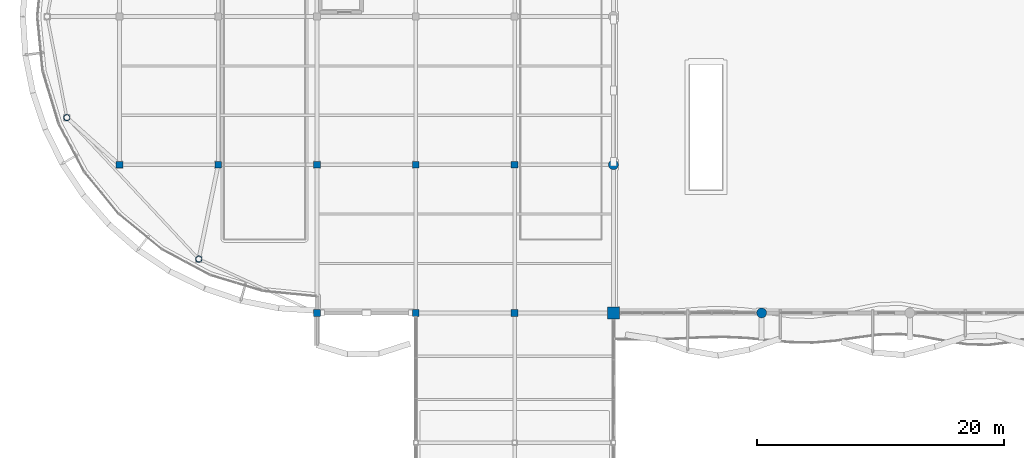
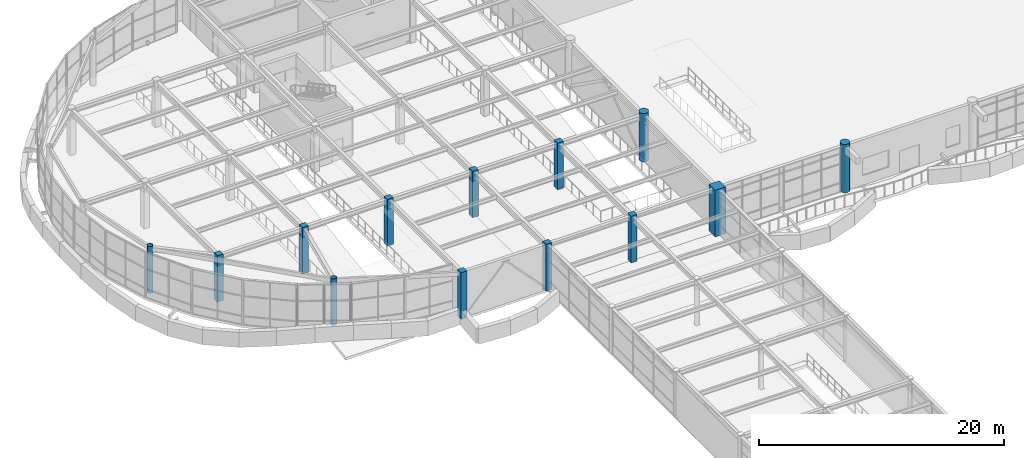
# One storey, part 2 of 72: 13 columns.
"""IFC4 building model written with IfcOpenShell, lengths in metres."""

import ifcopenshell
import ifcopenshell.guid

model = None  # the IFC model being written
_history = None  # IfcOwnerHistory: only IFC2X3 demands one
_inside = {}  # id of a spatial element -> (the spatial element, [elements in it])
_under = {}  # id of a project, library or spatial element -> (it, [spatial elements below it])
_declared = {}  # id of a project -> (the project, [libraries it declares])
_typed = {}  # id of a type object -> (the type object, [elements of that type])
_made_of = {}  # id of a material, layer set ... -> (it, [elements and type objects made of it])


def new_model(schema):
    """Start an empty IFC model of exactly this schema.

    Asked for "IFC4X3", IfcOpenShell would pick the latest addendum, in which some entities
    have other attributes; the version numbers below select the first issue.
    IFC2X3 requires an IfcOwnerHistory on every rooted entity: one is made here for all.
    """
    global model, _history
    if schema == "IFC4X3":
        model = ifcopenshell.file(schema_version=(4, 3, 0, 0))
    else:
        model = ifcopenshell.file(schema=schema)
    _inside.clear()
    _under.clear()
    _declared.clear()
    _typed.clear()
    _made_of.clear()
    _history = None
    if model.schema == "IFC2X3":
        org = make("IfcOrganization", Name="unknown")
        user = make(
            "IfcPersonAndOrganization",
            ThePerson=make("IfcPerson", FamilyName="unknown"),
            TheOrganization=org,
        )
        app = make(
            "IfcApplication",
            ApplicationDeveloper=org,
            Version="unknown",
            ApplicationFullName="unknown",
            ApplicationIdentifier="unknown",
        )
        _history = make(
            "IfcOwnerHistory",
            OwningUser=user,
            OwningApplication=app,
            ChangeAction="ADDED",
            CreationDate=0,
        )
    return model


def make(cls, **values):
    """One entity of the class cls with the attributes given. An attribute that is None is left unset."""
    return model.create_entity(
        cls, **{name: value for name, value in values.items() if value is not None}
    )


def rooted(cls, **values):
    """An entity with a GlobalId (a new one), such as an element, a storey or a relation."""
    return make(cls, GlobalId=ifcopenshell.guid.new(), OwnerHistory=_history, **values)


def si_unit(unit_type, name, prefix=None):
    """IfcSIUnit, for example si_unit("LENGTHUNIT", "METRE", prefix="MILLI")."""
    return make("IfcSIUnit", UnitType=unit_type, Prefix=prefix, Name=name)


def assignment(units):
    """IfcUnitAssignment: the units of a project."""
    return None if units is None else make("IfcUnitAssignment", Units=units)


def point(xyz):
    """IfcCartesianPoint."""
    return None if xyz is None else make("IfcCartesianPoint", Coordinates=xyz)


def direction(xyz):
    """IfcDirection."""
    return None if xyz is None else make("IfcDirection", DirectionRatios=xyz)


def frame(location, z_axis=None, x_axis=None):
    """IfcAxis2Placement3D, a coordinate frame: its origin and axes. An axis left out is left unset."""
    return make(
        "IfcAxis2Placement3D",
        Location=point(location),
        Axis=direction(z_axis),
        RefDirection=direction(x_axis),
    )


def frame_2d(location, x_axis=None):
    """IfcAxis2Placement2D, a coordinate frame in the plane: its origin and x axis."""
    return make(
        "IfcAxis2Placement2D", Location=point(location), RefDirection=direction(x_axis)
    )


def origin():
    """The frame at (0, 0, 0) with its axes left unset."""
    return frame((0.0, 0.0, 0.0))


def origin_2d():
    """The frame at (0, 0) in the plane with its x axis left unset."""
    return frame_2d((0.0, 0.0))


def place(relative_to, where):
    """IfcLocalPlacement: puts the frame where relative to a parent placement (None: the world)."""
    return make(
        "IfcLocalPlacement", PlacementRelTo=relative_to, RelativePlacement=where
    )


def context(
    kind, dimensions, precision=None, world=None, true_north=None, identifier=None
):
    """IfcGeometricRepresentationContext, for example the 3D "Model" context."""
    return make(
        "IfcGeometricRepresentationContext",
        ContextIdentifier=identifier,
        ContextType=kind,
        CoordinateSpaceDimension=dimensions,
        Precision=precision,
        WorldCoordinateSystem=world,
        TrueNorth=true_north,
    )


def subcontext(parent, identifier, kind, view, scale=None):
    """IfcGeometricRepresentationSubContext, for example "Body" below "Model"."""
    return make(
        "IfcGeometricRepresentationSubContext",
        ContextIdentifier=identifier,
        ContextType=kind,
        ParentContext=parent,
        TargetScale=scale,
        TargetView=view,
    )


def project(units=None, contexts=None):
    """IfcProject with its units and contexts."""
    return rooted(
        "IfcProject",
        Name="project",
        RepresentationContexts=contexts,
        UnitsInContext=assignment(units),
    )


def spatial(cls, under=None, at=None, **own):
    """A site, building, storey or space (cls), placed at a placement, below another one or the project."""
    s = rooted(cls, ObjectPlacement=at, **own)
    if under is not None:
        _under.setdefault(under.id(), (under, []))[1].append(s)
    return s


def profile(cls, at=None, kind="AREA", **sizes):
    """A parametric profile (cls). Its sizes go by their IFC names, for example OverallWidth=200.0."""
    return make(cls, ProfileType=kind, Position=at, **sizes)


def rectangle(**sizes):
    """IfcRectangleProfileDef."""
    return profile("IfcRectangleProfileDef", **sizes)


def circle(**sizes):
    """IfcCircleProfileDef."""
    return profile("IfcCircleProfileDef", **sizes)


def hollow_circle(**sizes):
    """IfcCircleHollowProfileDef."""
    return profile("IfcCircleHollowProfileDef", **sizes)


def extrude(swept, where, along, depth):
    """IfcExtrudedAreaSolid: the profile swept, set in the frame where, extruded along a direction by depth."""
    return make(
        "IfcExtrudedAreaSolid",
        SweptArea=swept,
        Position=where,
        ExtrudedDirection=direction(along),
        Depth=depth,
    )


def shape(context_of_items, identifier, shape_type, items):
    """IfcShapeRepresentation: the items that make up one representation, for example the "Body"."""
    return make(
        "IfcShapeRepresentation",
        ContextOfItems=context_of_items,
        RepresentationIdentifier=identifier,
        RepresentationType=shape_type,
        Items=items,
    )


def material(Name=None, Category=None):
    """IfcMaterial."""
    return make("IfcMaterial", Name=Name, Category=Category)


def material_profile(
    of_material, cross_section, Name=None, Category=None, Priority=None
):
    """IfcMaterialProfile: a cross section and its material."""
    return make(
        "IfcMaterialProfile",
        Name=Name,
        Material=of_material,
        Profile=cross_section,
        Priority=Priority,
        Category=Category,
    )


def profile_set(profiles, Name=None, composite=None):
    """IfcMaterialProfileSet."""
    return make(
        "IfcMaterialProfileSet",
        Name=Name,
        MaterialProfiles=profiles,
        CompositeProfile=composite,
    )


def made_of(thing, what):
    """Note that an element or type object is made of a material, layer set ...; save() writes the relation."""
    if what is not None:
        _made_of.setdefault(what.id(), (what, []))[1].append(thing)
    return thing


def type_object(cls, material=None, **own):
    """A type object (cls), such as IfcWallType, which elements share."""
    return made_of(rooted(cls, **own), material)


def element(
    cls,
    number,
    at=None,
    inside=None,
    cuts=None,
    type_object=None,
    material=None,
    context=None,
    identifier="Body",
    shape_type=None,
    held_by="IfcProductDefinitionShape",
    body=None,
    shapes=None,
    **own,
):
    """One element of the class cls, such as IfcWall. Its Tag is "e" and its number.

    at: its placement. inside: the storey or other place that contains it. cuts: it is an
    opening in that element (IfcRelVoidsElement). A single representation is given by context,
    identifier, shape_type and body (its items); several are given by shapes. held_by: the class
    of the entity that holds the representations. save() writes the other relations.
    """
    e = rooted(cls, Tag="e%d" % number, ObjectPlacement=at, **own)
    if body is not None:
        shapes = [shape(context, identifier, shape_type, body)]
    if shapes is not None:
        e.Representation = make(held_by, Representations=shapes)
    if inside is not None:
        _inside.setdefault(inside.id(), (inside, []))[1].append(e)
    if cuts is not None:
        rooted(
            "IfcRelVoidsElement", RelatingBuildingElement=cuts, RelatedOpeningElement=e
        )
    if type_object is not None:
        _typed.setdefault(type_object.id(), (type_object, []))[1].append(e)
    return made_of(e, material)


def aggregate(whole, parts):
    """IfcRelAggregates: a whole, such as a stair, and the parts it consists of."""
    return rooted("IfcRelAggregates", RelatingObject=whole, RelatedObjects=parts)


def save(model, path):
    """Write the relations noted so far, then the file.

    IfcRelAggregates (storeys below a building ...), IfcRelContainedInSpatialStructure (elements
    in a storey), IfcRelDefinesByType, IfcRelAssociatesMaterial and IfcRelDeclares: one each for
    every whole, place, type object, material and project.
    """
    for whole, parts in _under.values():
        aggregate(whole, parts)
    for where, things in _inside.values():
        rooted(
            "IfcRelContainedInSpatialStructure",
            RelatedElements=things,
            RelatingStructure=where,
        )
    for kind, things in _typed.values():
        rooted("IfcRelDefinesByType", RelatedObjects=things, RelatingType=kind)
    for what, things in _made_of.values():
        rooted("IfcRelAssociatesMaterial", RelatedObjects=things, RelatingMaterial=what)
    for by, libraries in _declared.values():
        rooted("IfcRelDeclares", RelatingContext=by, RelatedDefinitions=libraries)
    model.write(path)


model = new_model("IFC4")

# Units and contexts
model_context = context("Model", 3, precision=1e-05, world=origin(), true_north=direction((0.0, 1.0)))
body_context = subcontext(model_context, "Body", "Model", "MODEL_VIEW")
ifc_project = project(units=[si_unit("LENGTHUNIT", "METRE"), si_unit("AREAUNIT", "SQUARE_METRE"), si_unit("VOLUMEUNIT", "CUBIC_METRE"), si_unit("PLANEANGLEUNIT", "RADIAN"), si_unit("MASSUNIT", "GRAM", prefix="KILO")], contexts=[model_context])

# Site, building, storey
site_placement = place(None, origin())
site = spatial("IfcSite", under=ifc_project, at=site_placement, CompositionType="ELEMENT")
building_placement = place(site_placement, origin())
building = spatial("IfcBuilding", under=site, at=building_placement, Name="Keelwater Ferry Terminal", CompositionType="ELEMENT")
storey_placement = place(building_placement, frame((0.0, 0.0, 5.39990234375)))
storey = spatial("IfcBuildingStorey", under=building, at=storey_placement, Name="L01", CompositionType="ELEMENT", Elevation=5.39990234375)

# Columns
ifc_material_1 = material(Name="Concrete C45/55", Category="concrete")
ifc_material_profile_1 = material_profile(ifc_material_1, rectangle(XDim=0.550048828125, YDim=0.550048828125, at=origin_2d()), Name="RC 550x550")
ifc_profile_set_1 = profile_set([ifc_material_profile_1], Name="Concrete C45/55")
column_type_1 = type_object("IfcColumnType", Name="C4 RC 550x550", PredefinedType="COLUMN", material=ifc_profile_set_1)
for number, where, z_axis, x_axis, name in (
    (1, (8.0, 54.0, 0.0), (0.0, 0.0, 1.0), (1.0, 0.0, 0.0), "Column CL-L01-0002"),
    (2, (16.0, 54.0, 0.0), (0.0, 0.0, 1.0), (1.0, 0.0, 0.0), "Column CL-L01-0011"),
    (3, (24.0, 42.0, 0.0), (0.0, 0.0, 1.0), (1.0, 0.0, 0.0), "Column CL-L01-0020"),
    (4, (24.0, 54.0, 0.0), (0.0, 0.0, 1.0), (1.0, 0.0, 0.0), "Column CL-L01-0023"),
    (5, (32.0, 42.0, 0.0), (0.0, 0.0, 1.0), (1.0, 0.0, 0.0), "Column CL-L01-0045"),
    (6, (32.0, 54.0, 0.0), (0.0, 0.0, 1.0), (1.0, 0.0, 0.0), "Column CL-L01-0048"),
    (7, (40.0, 42.0, 0.0), (0.0, 0.0, 1.0), (1.0, 0.0, 0.0), "Column CL-L01-0070"),
    (8, (40.0, 54.0, 0.0), (0.0, 0.0, 1.0), (1.0, 0.0, 0.0), "Column CL-L01-0073"),
):
    element("IfcColumn", number, at=place(storey_placement, frame(where, z_axis=z_axis, x_axis=x_axis)), inside=storey, type_object=column_type_1, Name=name, PredefinedType="COLUMN", context=body_context, shape_type="SweptSolid", body=[
        extrude(rectangle(XDim=0.550048828125, YDim=0.550048828125, at=origin_2d()), origin(), (0.0, 0.0, 1.0), 4.64013671875),
    ])
ifc_material_2 = material(Name="Concrete C50/60", Category="concrete")
ifc_material_profile_2 = material_profile(ifc_material_2, circle(Radius=0.39990234375, at=origin_2d()), Name="RC D800")
ifc_profile_set_2 = profile_set([ifc_material_profile_2], Name="Concrete C50/60")
column_type_2 = type_object("IfcColumnType", Name="C6 RC D800", PredefinedType="COLUMN", material=ifc_profile_set_2)
for number, where, z_axis, x_axis, name in (
    (9, (48.0, 54.0, 0.0), (0.0, 0.0, 1.0), (1.0, 0.0, 0.0), "Column CL-L01-0098"),
    (10, (60.0, 42.0, 0.0), (0.0, 0.0, 1.0), (1.0, 0.0, 0.0), "Column CL-L01-0114"),
):
    element("IfcColumn", number, at=place(storey_placement, frame(where, z_axis=z_axis, x_axis=x_axis)), inside=storey, type_object=column_type_2, Name=name, PredefinedType="COLUMN", context=body_context, shape_type="SweptSolid", body=[
        extrude(circle(Radius=0.39990234375, at=origin_2d()), origin(), (0.0, 0.0, 1.0), 4.800048828125),
    ])
ifc_material_3 = material(Name="Steel S355", Category="steel")
ifc_material_profile_3 = material_profile(ifc_material_3, hollow_circle(Radius=0.25390625, WallThickness=0.02001953125, at=origin_2d()), Name="CHS 508x20")
ifc_profile_set_3 = profile_set([ifc_material_profile_3], Name="Steel S355")
column_type_3 = type_object("IfcColumnType", Name="C8E CHS 508x20", PredefinedType="COLUMN", material=ifc_profile_set_3)
for number, where, z_axis, x_axis, name in (
    (11, (3.740966796875, 57.81494140625, 0.0), (0.0, 0.0, 1.0), (1.0, 0.0, 0.0), "Column CL-L01-0537"),
    (12, (14.422119140625, 46.361083984375, 0.0), (0.0, 0.0, 1.0), (1.0, 0.0, 0.0), "Column CL-L01-0540"),
):
    element("IfcColumn", number, at=place(storey_placement, frame(where, z_axis=z_axis, x_axis=x_axis)), inside=storey, type_object=column_type_3, Name=name, PredefinedType="COLUMN", context=body_context, shape_type="SweptSolid", body=[
        extrude(hollow_circle(Radius=0.25390625, WallThickness=0.02001953125, at=origin_2d()), origin(), (0.0, 0.0, 1.0), 4.64013671875),
    ])
ifc_material_4 = material(Name="Concrete C50/60", Category="concrete")
ifc_material_profile_4 = material_profile(ifc_material_4, rectangle(XDim=1.0, YDim=1.0, at=origin_2d()), Name="RC 1000x1000")
ifc_profile_set_4 = profile_set([ifc_material_profile_4], Name="Concrete C50/60")
column_type_4 = type_object("IfcColumnType", Name="MC1 RC 1000x1000", PredefinedType="COLUMN", material=ifc_profile_set_4)
column_placement = place(storey_placement, frame((48.0, 42.0, 0.0), z_axis=(0.0, 0.0, 1.0), x_axis=(1.0, 0.0, 0.0)))
element("IfcColumn", 13, at=column_placement, inside=storey, type_object=column_type_4, Name="Column CL-L01-0095", PredefinedType="COLUMN", context=body_context, shape_type="SweptSolid", body=[
    extrude(rectangle(XDim=1.0, YDim=1.0, at=origin_2d()), origin(), (0.0, 0.0, 1.0), 4.64013671875),
])

save(model, "model.ifc")
